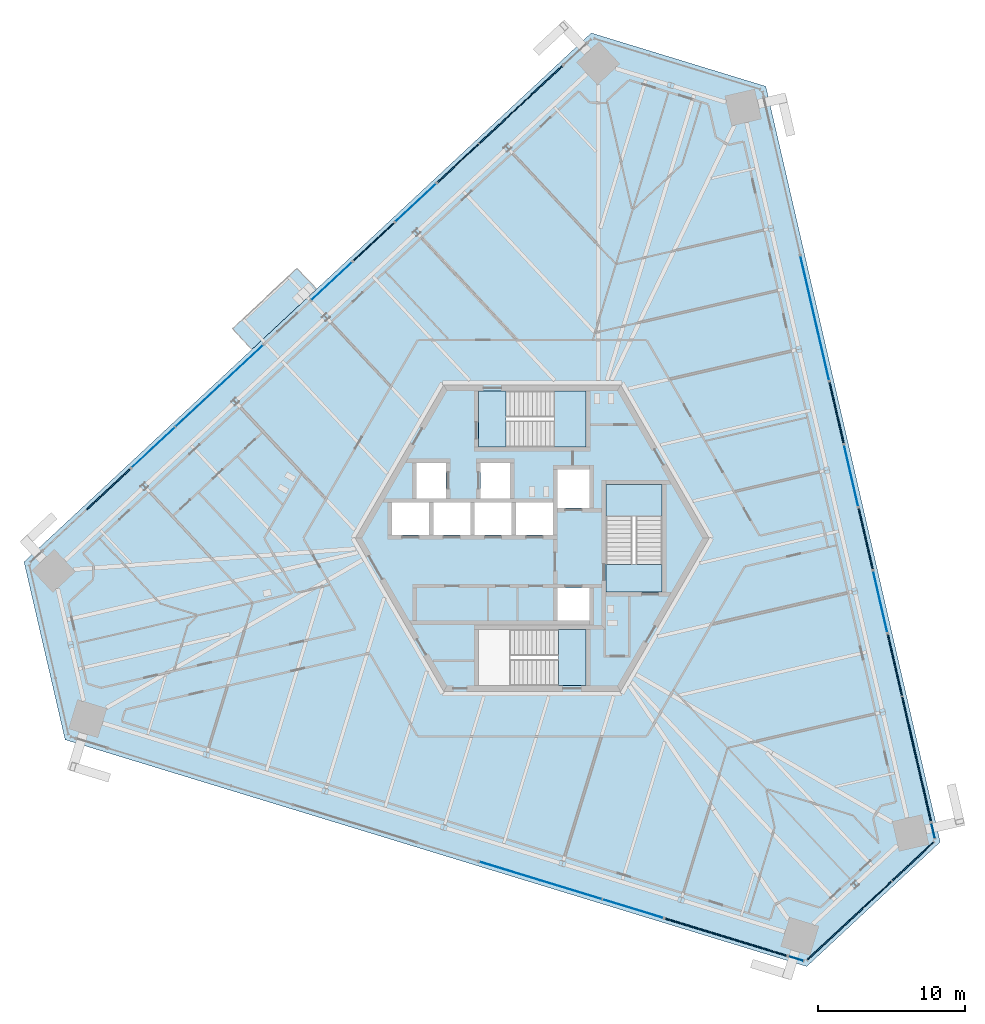
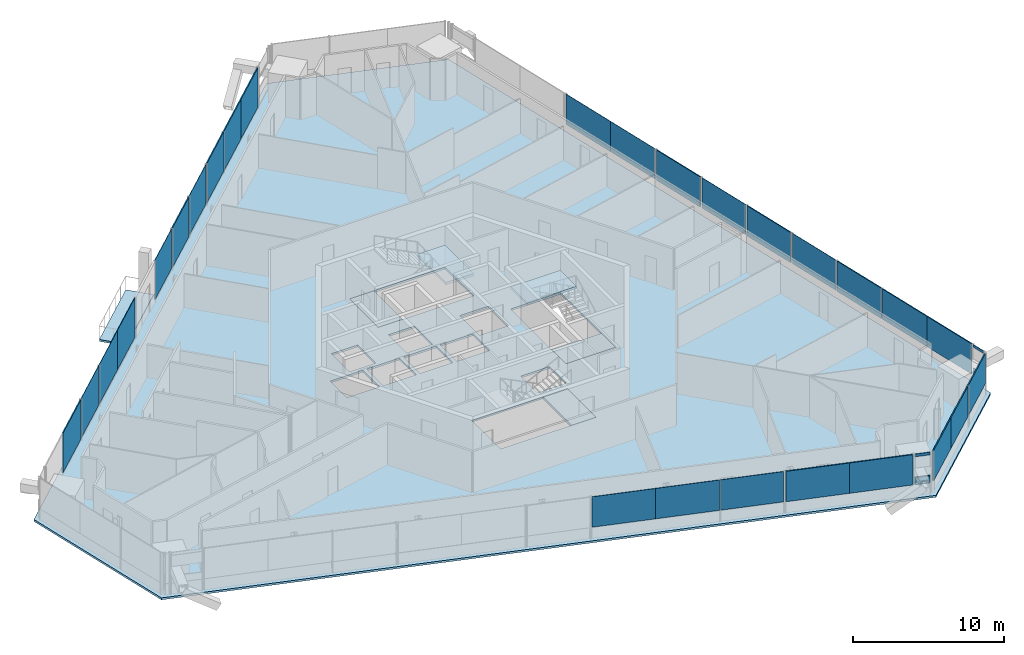
# One storey, part 15 of 25: 31 plates, 7 slabs, 22 elements without a shape of their own.
"""IFC4 building model written with IfcOpenShell, lengths in metres."""

from ifc_helpers import new_model, si_unit, direction, frame, origin, origin_2d, place, context, subcontext, project, spatial, polyline, rectangle, outline, extrude, source, transform, mapped, material, layer, layer_set, type_object, element, aggregate, save


model = new_model("IFC4")

# Units and contexts
model_context = context("Model", 3, precision=1e-05, world=origin(), true_north=direction((0.0, 1.0)))
body_context = subcontext(model_context, "Body", "Model", "MODEL_VIEW")
ifc_project = project(units=[si_unit("LENGTHUNIT", "METRE"), si_unit("AREAUNIT", "SQUARE_METRE"), si_unit("VOLUMEUNIT", "CUBIC_METRE"), si_unit("PLANEANGLEUNIT", "RADIAN"), si_unit("MASSUNIT", "GRAM", prefix="KILO")], contexts=[model_context])

# Site, building, storey
site_placement = place(None, origin())
site = spatial("IfcSite", under=ifc_project, at=site_placement, CompositionType="ELEMENT")
building_placement = place(site_placement, origin())
building = spatial("IfcBuilding", under=site, at=building_placement, Name="Triune Harvest Tower", CompositionType="ELEMENT")
storey_placement = place(building_placement, frame((0.0, 0.0, 130.699951171875)))
storey = spatial("IfcBuildingStorey", under=building, at=storey_placement, Name="L33", CompositionType="ELEMENT", Elevation=130.699951171875)

# Slab
ifc_material_1 = material(Name="Concrete 40 MPa", Category="concrete")
ifc_layer_1 = layer(ifc_material_1, 0.159912109375)
ifc_layer_set_1 = layer_set([ifc_layer_1], Name="Concrete 40 MPa")
slab_type_1 = type_object("IfcSlabType", Name="BA-1 balcony slab 160", PredefinedType="FLOOR", material=ifc_layer_set_1)
slab_1_placement = place(storey_placement, frame((0.0, 0.0, -0.159912109375)))
element("IfcSlab", 1, at=slab_1_placement, inside=storey, type_object=slab_type_1, Name="Balcony slab B3-F3 L33.7", PredefinedType="FLOOR", context=body_context, shape_type="SweptSolid", body=[
    extrude(outline(polyline([(-14.622802734375, 16.888427734375), (-19.010986328125, 12.79638671875), (-20.328125, 14.208984375), (-15.940185546875, 18.30078125), (-14.622802734375, 16.888427734375)])), origin(), (0.0, 0.0, 1.0), 0.159912109375),
])

# Curtain wall, plates
ifc_material_2 = material(Name="Aluminium bronze anodised", Category="aluminium")
curtain_wall_type_1 = type_object("IfcCurtainWallType", Name="CW-1 Tower stick curtain wall", PredefinedType="NOTDEFINED", material=ifc_material_2)
curtain_wall_1_placement = place(storey_placement, origin())
curtain_wall_1 = element("IfcCurtainWall", 2, at=curtain_wall_1_placement, inside=storey, type_object=curtain_wall_type_1, Name="CW-1 B3-F5 L33 run 3301")
ifc_material_3 = material(Name="Glass", Category="glass")
ifc_layer_2 = layer(ifc_material_3, 0.031982421875)
ifc_layer_set_2 = layer_set([ifc_layer_2], Name="Glass")
plate_type_1 = type_object("IfcPlateType", Name="GL-1 panel 32", PredefinedType="CURTAIN_PANEL", material=ifc_layer_set_2)
plate_1_placement = place(storey_placement, frame((2.632080078125, -23.835205078125, 0.89990234375), z_axis=(0.0, 0.0, 1.0), x_axis=(0.956305018244, -0.292370846839, 0.0)))
plate_1 = element("IfcPlate", 3, at=plate_1_placement, type_object=plate_type_1, Name="CW-1 panel B3-F5 3301.2", PredefinedType="CURTAIN_PANEL", context=body_context, shape_type="SweptSolid", body=[
    extrude(rectangle(XDim=4.349365234375, YDim=0.031982421875, at=origin_2d()), origin(), (0.0, 0.0, 1.0), 2.449951171875),
])
plate_2_placement = place(storey_placement, frame((6.8271484375, -25.117919921875, 0.89990234375), z_axis=(0.0, 0.0, 1.0), x_axis=(0.956305018244, -0.292370846839, 0.0)))
plate_2 = element("IfcPlate", 4, at=plate_2_placement, type_object=plate_type_1, Name="CW-1 panel B3-F5 3301.3", PredefinedType="CURTAIN_PANEL", context=body_context, shape_type="SweptSolid", body=[
    extrude(rectangle(XDim=4.274169921875, YDim=0.031982421875, at=origin_2d()), origin(), (0.0, 0.0, 1.0), 2.449951171875),
])

ifc_material_4 = material(Name="Aluminium bronze anodised", Category="aluminium")
curtain_wall_type_2 = type_object("IfcCurtainWallType", Name="CW-6 Balcony window wall", PredefinedType="NOTDEFINED", material=ifc_material_4)
curtain_wall_2_placement = place(storey_placement, origin())
curtain_wall_2 = element("IfcCurtainWall", 5, at=curtain_wall_2_placement, inside=storey, type_object=curtain_wall_type_2, Name="CW-6 B3-F3 L33 run 2")
ifc_material_5 = material(Name="Glass", Category="glass")
ifc_layer_3 = layer(ifc_material_5, 0.030029296875)
ifc_layer_set_3 = layer_set([ifc_layer_3], Name="Glass")
plate_type_2 = type_object("IfcPlateType", Name="GL-6 panel 30", PredefinedType="CURTAIN_PANEL", material=ifc_layer_set_3)
plate_3_placement = place(storey_placement, frame((-19.7314453125, 11.714599609375, 0.14990234375), z_axis=(0.0, 0.0, 1.0), x_axis=(-0.731353062767, -0.681999045147, 0.0)))
plate_3 = element("IfcPlate", 6, at=plate_3_placement, type_object=plate_type_2, Name="CW-6 panel B3-F3 2.1", PredefinedType="CURTAIN_PANEL", context=body_context, shape_type="SweptSolid", body=[
    extrude(rectangle(XDim=4.02587890625, YDim=0.030029296875, at=origin_2d()), origin(), (0.0, 0.0, 1.0), 3.199951171875),
])
plate_4_placement = place(storey_placement, frame((-22.689453125, 8.9560546875, 0.14990234375), z_axis=(0.0, 0.0, 1.0), x_axis=(-0.731353062767, -0.681999045147, 0.0)))
plate_4 = element("IfcPlate", 7, at=plate_4_placement, type_object=plate_type_2, Name="CW-6 panel B3-F3 2.2", PredefinedType="CURTAIN_PANEL", context=body_context, shape_type="SweptSolid", body=[
    extrude(rectangle(XDim=4.0634765625, YDim=0.030029296875, at=origin_2d()), origin(), (0.0, 0.0, 1.0), 3.199951171875),
])
plate_5_placement = place(storey_placement, frame((-25.688720703125, 6.1591796875, 0.14990234375), z_axis=(0.0, 0.0, 1.0), x_axis=(-0.731353062767, -0.681999045147, 0.0)))
plate_5 = element("IfcPlate", 8, at=plate_5_placement, type_object=plate_type_2, Name="CW-6 panel B3-F3 2.3", PredefinedType="CURTAIN_PANEL", context=body_context, shape_type="SweptSolid", body=[
    extrude(rectangle(XDim=3.988525390625, YDim=0.030029296875, at=origin_2d()), origin(), (0.0, 0.0, 1.0), 3.199951171875),
])
aggregate(curtain_wall_2, [plate_3, plate_4, plate_5])

ifc_material_6 = material(Name="Aluminium bronze anodised", Category="aluminium")
curtain_wall_type_3 = type_object("IfcCurtainWallType", Name="CW-10 Balcony window wall with insulated spandrel infill", PredefinedType="NOTDEFINED", material=ifc_material_6)
curtain_wall_3_placement = place(storey_placement, origin())
curtain_wall_3 = element("IfcCurtainWall", 9, at=curtain_wall_3_placement, inside=storey, type_object=curtain_wall_type_3, Name="CW-10 B3-F3 L33 run 301")
ifc_material_7 = material(Name="Insulated spandrel panel, bronze aluminium pan", Category="aluminium")
ifc_layer_4 = layer(ifc_material_7, 0.080078125)
ifc_layer_set_4 = layer_set([ifc_layer_4], Name="Insulated spandrel panel, bronze aluminium pan")
plate_type_3 = type_object("IfcPlateType", Name="SP-1 insulated spandrel panel 80", PredefinedType="CURTAIN_PANEL", material=ifc_layer_set_4)
plate_6_placement = place(storey_placement, frame((0.636962890625, 30.708251953125, 0.14990234375), z_axis=(0.0, 0.0, 1.0), x_axis=(-0.731355388729, -0.681996550854, 0.0)))
plate_6 = element("IfcPlate", 10, at=plate_6_placement, type_object=plate_type_3, Name="CW-10 panel B3-F3 301.1", PredefinedType="CURTAIN_PANEL", context=body_context, shape_type="SweptSolid", body=[
    extrude(rectangle(XDim=3.82421875, YDim=0.080078125, at=origin_2d()), origin(), (0.0, 0.0, 1.0), 3.199951171875),
])
plate_7_placement = place(storey_placement, frame((-2.173583984375, 28.08740234375, 0.14990234375), z_axis=(0.0, 0.0, 1.0), x_axis=(-0.731355388729, -0.681996550854, 0.0)))
plate_7 = element("IfcPlate", 11, at=plate_7_placement, type_object=plate_type_3, Name="CW-10 panel B3-F3 301.2", PredefinedType="CURTAIN_PANEL", context=body_context, shape_type="SweptSolid", body=[
    extrude(rectangle(XDim=3.86181640625, YDim=0.080078125, at=origin_2d()), origin(), (0.0, 0.0, 1.0), 3.199951171875),
])
plate_8_placement = place(storey_placement, frame((-5.025390625, 25.427978515625, 0.14990234375), z_axis=(0.0, 0.0, 1.0), x_axis=(-0.731355388729, -0.681996550854, 0.0)))
plate_8 = element("IfcPlate", 12, at=plate_8_placement, type_object=plate_type_3, Name="CW-10 panel B3-F3 301.3", PredefinedType="CURTAIN_PANEL", context=body_context, shape_type="SweptSolid", body=[
    extrude(rectangle(XDim=3.786865234375, YDim=0.080078125, at=origin_2d()), origin(), (0.0, 0.0, 1.0), 3.199951171875),
])
aggregate(curtain_wall_3, [plate_6, plate_7, plate_8])

# Curtain wall, plate
curtain_wall_4_placement = place(storey_placement, origin())
curtain_wall_4 = element("IfcCurtainWall", 13, at=curtain_wall_4_placement, inside=storey, type_object=curtain_wall_type_3, Name="CW-10 B3-F3 L33 run 2301")
plate_9_placement = place(storey_placement, frame((-10.74267578125, 20.096435546875, 0.14990234375), z_axis=(0.0, 0.0, 1.0), x_axis=(-0.731359652555, -0.68199197841, 0.0)))
plate_9 = element("IfcPlate", 14, at=plate_9_placement, type_object=plate_type_3, Name="CW-10 panel B3-F3 2301.1", PredefinedType="CURTAIN_PANEL", context=body_context, shape_type="SweptSolid", body=[
    extrude(rectangle(XDim=3.749267578125, YDim=0.080078125, at=origin_2d()), origin(), (0.0, 0.0, 1.0), 3.199951171875),
])
aggregate(curtain_wall_4, [plate_9])

# Slab
ifc_material_8 = material(Name="Concrete 40 MPa", Category="concrete")
ifc_layer_5 = layer(ifc_material_8, 0.159912109375)
ifc_layer_set_5 = layer_set([ifc_layer_5], Name="Concrete 40 MPa")
slab_type_2 = type_object("IfcSlabType", Name="SL-1 Composite floor slab 160", PredefinedType="FLOOR", material=ifc_layer_set_5)
shared_shape_1 = source(origin(), body_context, "Body", "SweptSolid", [
    extrude(outline(polyline([(27.666748046875, -20.59765625), (15.83740234375, 30.641357421875), (4.004638671875, 34.2587890625), (-34.454833984375, -1.60498046875), (-31.67138671875, -13.661376953125), (18.617431640625, -29.0361328125), (27.666748046875, -20.59765625)]), holes=[polyline([(-7.0, 0.2099609375), (-7.0, 2.409912109375), (-9.5, 2.409912109375), (-9.5, 0.2099609375), (-7.0, 0.2099609375)]), polyline([(-4.199951171875, 0.2099609375), (-4.199951171875, 2.409912109375), (-6.699951171875, 2.409912109375), (-6.699951171875, 0.2099609375), (-4.199951171875, 0.2099609375)]), polyline([(-1.39990234375, 0.2099609375), (-1.39990234375, 2.409912109375), (-3.89990234375, 2.409912109375), (-3.89990234375, 0.2099609375), (-1.39990234375, 0.2099609375)]), polyline([(1.39990234375, 0.2099609375), (1.39990234375, 2.409912109375), (-1.10009765625, 2.409912109375), (-1.10009765625, 0.2099609375), (1.39990234375, 0.2099609375)]), polyline([(3.89990234375, 2.06005859375), (3.89990234375, 4.659912109375), (1.699951171875, 4.659912109375), (1.699951171875, 2.06005859375), (3.89990234375, 2.06005859375)]), polyline([(3.89990234375, -5.590087890625), (3.89990234375, -3.389892578125), (1.699951171875, -3.389892578125), (1.699951171875, -5.590087890625), (3.89990234375, -5.590087890625)]), polyline([(-5.85009765625, 2.7099609375), (-5.85009765625, 5.110107421875), (-7.85009765625, 5.110107421875), (-7.85009765625, 2.7099609375), (-5.85009765625, 2.7099609375)]), polyline([(-1.5, 2.7099609375), (-1.5, 5.110107421875), (-3.5, 5.110107421875), (-3.5, 2.7099609375), (-1.5, 2.7099609375)]), polyline([(3.64990234375, 6.18994140625), (3.64990234375, 9.989990234375), (-3.64990234375, 9.989990234375), (-3.64990234375, 6.18994140625), (3.64990234375, 6.18994140625)]), polyline([(3.64990234375, -9.989990234375), (3.64990234375, -6.18994140625), (-3.64990234375, -6.18994140625), (-3.64990234375, -9.989990234375), (3.64990234375, -9.989990234375)]), polyline([(8.800048828125, -3.64990234375), (8.800048828125, 3.64990234375), (5.0, 3.64990234375), (5.0, -3.64990234375), (8.800048828125, -3.64990234375)])]), origin(), (0.0, 0.0, 1.0), 0.159912109375),
])
slab_2_placement = place(storey_placement, frame((0.0, 0.0, -0.159912109375)))
element("IfcSlab", 15, at=slab_2_placement, inside=storey, type_object=slab_type_2, Name="slab/L33/1", PredefinedType="FLOOR", context=body_context, shape_type="MappedRepresentation", body=[
    mapped(shared_shape_1, transform((0.0, 0.0, 0.0), scale=1.0)),
])

# Stair, slabs
ifc_material_9 = material(Name="Concrete 40 MPa", Category="concrete")
stair_type = type_object("IfcStairType", Name="Exit stair 1800 half turn", PredefinedType="HALF_TURN_STAIR", material=ifc_material_9)
stair_1_placement = place(storey_placement, origin())
stair_1 = element("IfcStair", 16, at=stair_1_placement, inside=storey, type_object=stair_type, Name="Exit stair north", PredefinedType="HALF_TURN_STAIR")
ifc_material_10 = material(Name="Concrete 40 MPa", Category="concrete")
ifc_layer_6 = layer(ifc_material_10, 0.199951171875)
ifc_layer_set_6 = layer_set([ifc_layer_6], Name="Concrete 40 MPa")
slab_type_3 = type_object("IfcSlabType", Name="Stair landing 200", PredefinedType="LANDING", material=ifc_layer_set_6)
shared_shape_2 = source(origin(), body_context, "Body", "SweptSolid", [
    extrude(outline(polyline([(1.510009765625, 6.18994140625), (3.64990234375, 6.18994140625), (3.64990234375, 9.989990234375), (1.510009765625, 9.989990234375), (1.510009765625, 6.18994140625)])), origin(), (0.0, 0.0, 1.0), 0.199951171875),
])
slab_3_placement = place(storey_placement, frame((0.0, 0.0, 1.60009765625)))
slab_3 = element("IfcSlab", 17, at=slab_3_placement, type_object=slab_type_3, Name="ST-1 landing 2", PredefinedType="LANDING", context=body_context, shape_type="MappedRepresentation", body=[
    mapped(shared_shape_2, transform((0.0, 0.0, 0.0), scale=1.0)),
])
shared_shape_3 = source(origin(), body_context, "Body", "SweptSolid", [
    extrude(outline(polyline([(-3.64990234375, 6.18994140625), (-1.780029296875, 6.18994140625), (-1.780029296875, 9.989990234375), (-3.64990234375, 9.989990234375), (-3.64990234375, 6.18994140625)])), origin(), (0.0, 0.0, 1.0), 0.199951171875),
])
slab_4_placement = place(storey_placement, frame((0.0, 0.0, -0.199951171875)))
slab_4 = element("IfcSlab", 18, at=slab_4_placement, type_object=slab_type_3, Name="ST-1 landing 1", PredefinedType="LANDING", context=body_context, shape_type="MappedRepresentation", body=[
    mapped(shared_shape_3, transform((0.0, 0.0, 0.0), scale=1.0)),
])
aggregate(stair_1, [slab_4, slab_3])

# Stair, slab
stair_2_placement = place(storey_placement, origin())
stair_2 = element("IfcStair", 19, at=stair_2_placement, inside=storey, type_object=stair_type, Name="Exit stair south", PredefinedType="HALF_TURN_STAIR")
shared_shape_4 = source(origin(), body_context, "Body", "SweptSolid", [
    extrude(outline(polyline([(3.64990234375, -6.18994140625), (1.780029296875, -6.18994140625), (1.780029296875, -9.989990234375), (3.64990234375, -9.989990234375), (3.64990234375, -6.18994140625)])), origin(), (0.0, 0.0, 1.0), 0.199951171875),
])
slab_5_placement = place(storey_placement, frame((0.0, 0.0, -0.199951171875)))
slab_5 = element("IfcSlab", 20, at=slab_5_placement, type_object=slab_type_3, Name="ST-2 landing 1", PredefinedType="LANDING", context=body_context, shape_type="MappedRepresentation", body=[
    mapped(shared_shape_4, transform((0.0, 0.0, 0.0), scale=1.0)),
])
aggregate(stair_2, [slab_5])

# Stair, slabs
stair_3_placement = place(storey_placement, origin())
stair_3 = element("IfcStair", 21, at=stair_3_placement, inside=storey, type_object=stair_type, Name="Exit stair east", PredefinedType="HALF_TURN_STAIR")
shared_shape_5 = source(origin(), body_context, "Body", "SweptSolid", [
    extrude(outline(polyline([(8.800048828125, 1.510009765625), (8.800048828125, 3.64990234375), (5.0, 3.64990234375), (5.0, 1.510009765625), (8.800048828125, 1.510009765625)])), origin(), (0.0, 0.0, 1.0), 0.199951171875),
])
slab_6_placement = place(storey_placement, frame((0.0, 0.0, 1.60009765625)))
slab_6 = element("IfcSlab", 22, at=slab_6_placement, type_object=slab_type_3, Name="ST-3 landing 2", PredefinedType="LANDING", context=body_context, shape_type="MappedRepresentation", body=[
    mapped(shared_shape_5, transform((0.0, 0.0, 0.0), scale=1.0)),
])
shared_shape_6 = source(origin(), body_context, "Body", "SweptSolid", [
    extrude(outline(polyline([(8.800048828125, -3.64990234375), (8.800048828125, -1.780029296875), (5.0, -1.780029296875), (5.0, -3.64990234375), (8.800048828125, -3.64990234375)])), origin(), (0.0, 0.0, 1.0), 0.199951171875),
])
slab_7_placement = place(storey_placement, frame((0.0, 0.0, -0.199951171875)))
slab_7 = element("IfcSlab", 23, at=slab_7_placement, type_object=slab_type_3, Name="ST-3 landing 1", PredefinedType="LANDING", context=body_context, shape_type="MappedRepresentation", body=[
    mapped(shared_shape_6, transform((0.0, 0.0, 0.0), scale=1.0)),
])
aggregate(stair_3, [slab_7, slab_6])

# Curtain wall, plate
ifc_material_11 = material(Name="Aluminium bronze anodised", Category="aluminium")
curtain_wall_type_4 = type_object("IfcCurtainWallType", Name="CW-7 Tower stick curtain wall with insulated spandrel infill", PredefinedType="NOTDEFINED", material=ifc_material_11)
curtain_wall_5_placement = place(storey_placement, origin())
curtain_wall_5 = element("IfcCurtainWall", 24, at=curtain_wall_5_placement, inside=storey, type_object=curtain_wall_type_4, Name="CW-7 B3-F1 L33 run 1")
shared_shape_7 = source(origin(), body_context, "Body", "SweptSolid", [
    extrude(rectangle(XDim=1.021728515625, YDim=0.080078125, at=origin_2d()), origin(), (0.0, 0.0, 1.0), 0.56494140625),
])
plate_10_placement = place(storey_placement, frame((27.18359375, -19.837646484375, 0.900146484375), z_axis=(0.0, 0.0, 1.0), x_axis=(-0.224946759876, 0.974371056231, 0.0)))
plate_10 = element("IfcPlate", 25, at=plate_10_placement, type_object=plate_type_3, Name="CW-7 panel B3-F1 1.1", PredefinedType="CURTAIN_PANEL", context=body_context, shape_type="MappedRepresentation", body=[
    mapped(shared_shape_7, transform((0.0, 0.0, 0.0), scale=1.0)),
])
aggregate(curtain_wall_5, [plate_10])

curtain_wall_6_placement = place(storey_placement, origin())
curtain_wall_6 = element("IfcCurtainWall", 26, at=curtain_wall_6_placement, inside=storey, type_object=curtain_wall_type_4, Name="CW-7 B3-F5 L33 run 401")
plate_11_placement = place(storey_placement, frame((17.893310546875, -28.501220703125, 0.900146484375), z_axis=(0.0, 0.0, 1.0), x_axis=(0.956305185841, -0.292370298651, 0.0)))
plate_11 = element("IfcPlate", 27, at=plate_11_placement, type_object=plate_type_3, Name="CW-7 panel B3-F5 401.1", PredefinedType="CURTAIN_PANEL", context=body_context, shape_type="MappedRepresentation", body=[
    mapped(shared_shape_7, transform((0.0, 0.0, 0.0), scale=1.0)),
])
aggregate(curtain_wall_6, [plate_11])

curtain_wall_7_placement = place(storey_placement, origin())
curtain_wall_7 = element("IfcCurtainWall", 28, at=curtain_wall_7_placement, inside=storey, type_object=curtain_wall_type_1, Name="CW-1 B3-F1 L33 run 101")
shared_shape_8 = source(origin(), body_context, "Body", "SweptSolid", [
    extrude(rectangle(XDim=1.021728515625, YDim=0.031982421875, at=origin_2d()), origin(), (0.0, 0.0, 1.0), 0.215087890625),
])
plate_12_placement = place(storey_placement, frame((27.18359375, -19.837646484375, 3.134765625), z_axis=(0.0, 0.0, 1.0), x_axis=(-0.224946759876, 0.974371056231, 0.0)))
plate_12 = element("IfcPlate", 29, at=plate_12_placement, type_object=plate_type_1, Name="CW-1 panel B3-F1 101.1", PredefinedType="CURTAIN_PANEL", context=body_context, shape_type="MappedRepresentation", body=[
    mapped(shared_shape_8, transform((0.0, 0.0, 0.0), scale=1.0)),
])
aggregate(curtain_wall_7, [plate_12])

curtain_wall_8_placement = place(storey_placement, origin())
curtain_wall_8 = element("IfcCurtainWall", 30, at=curtain_wall_8_placement, inside=storey, type_object=curtain_wall_type_1, Name="CW-1 B3-F5 L33 run 501")
plate_13_placement = place(storey_placement, frame((17.893310546875, -28.501220703125, 3.134765625), z_axis=(0.0, 0.0, 1.0), x_axis=(0.956305185841, -0.292370298651, 0.0)))
plate_13 = element("IfcPlate", 31, at=plate_13_placement, type_object=plate_type_1, Name="CW-1 panel B3-F5 501.1", PredefinedType="CURTAIN_PANEL", context=body_context, shape_type="MappedRepresentation", body=[
    mapped(shared_shape_8, transform((0.0, 0.0, 0.0), scale=1.0)),
])
aggregate(curtain_wall_8, [plate_13])

curtain_wall_9_placement = place(storey_placement, origin())
curtain_wall_9 = element("IfcCurtainWall", 32, at=curtain_wall_9_placement, inside=storey, type_object=curtain_wall_type_4, Name="CW-7 B3-F1 L33 run 201")
shared_shape_9 = source(origin(), body_context, "Body", "SweptSolid", [
    extrude(rectangle(XDim=4.311767578125, YDim=0.080078125, at=origin_2d()), origin(), (0.0, 0.0, 1.0), 2.449951171875),
])
plate_14_placement = place(storey_placement, frame((26.5498046875, -17.093017578125, 0.89990234375), z_axis=(0.0, 0.0, 1.0), x_axis=(-0.224949408455, 0.974370444767, 0.0)))
plate_14 = element("IfcPlate", 33, at=plate_14_placement, type_object=plate_type_3, Name="CW-7 panel B3-F1 201.1", PredefinedType="CURTAIN_PANEL", context=body_context, shape_type="MappedRepresentation", body=[
    mapped(shared_shape_9, transform((0.0, 0.0, 0.0), scale=1.0)),
])

# Curtain wall, plates
curtain_wall_10_placement = place(storey_placement, origin())
curtain_wall_10 = element("IfcCurtainWall", 34, at=curtain_wall_10_placement, inside=storey, type_object=curtain_wall_type_4, Name="CW-7 B3-F5 L33 run 4301")
plate_15_placement = place(storey_placement, frame((11.076171875, -26.416748046875, 0.89990234375), z_axis=(0.0, 0.0, 1.0), x_axis=(0.95630289369, -0.292377795875, 0.0)))
plate_15 = element("IfcPlate", 35, at=plate_15_placement, type_object=plate_type_3, Name="CW-7 panel B3-F5 4301.1", PredefinedType="CURTAIN_PANEL", context=body_context, shape_type="MappedRepresentation", body=[
    mapped(shared_shape_9, transform((0.0, 0.0, 0.0), scale=1.0)),
])
plate_16_placement = place(storey_placement, frame((15.199462890625, -27.677490234375, 0.89990234375), z_axis=(0.0, 0.0, 1.0), x_axis=(0.95630289369, -0.292377795875, 0.0)))
plate_16 = element("IfcPlate", 36, at=plate_16_placement, type_object=plate_type_3, Name="CW-7 panel B3-F5 4301.2", PredefinedType="CURTAIN_PANEL", context=body_context, shape_type="MappedRepresentation", body=[
    mapped(shared_shape_9, transform((0.0, 0.0, 0.0), scale=1.0)),
])
aggregate(curtain_wall_10, [plate_15, plate_16])

# Plate
shared_shape_10 = source(origin(), body_context, "Body", "SweptSolid", [
    extrude(rectangle(XDim=4.349365234375, YDim=0.080078125, at=origin_2d()), origin(), (0.0, 0.0, 1.0), 2.449951171875),
])
plate_17_placement = place(storey_placement, frame((25.57568359375, -12.87353515625, 0.89990234375), z_axis=(0.0, 0.0, 1.0), x_axis=(-0.224949408455, 0.974370444767, 0.0)))
plate_17 = element("IfcPlate", 37, at=plate_17_placement, type_object=plate_type_3, Name="CW-7 panel B3-F1 201.2", PredefinedType="CURTAIN_PANEL", context=body_context, shape_type="MappedRepresentation", body=[
    mapped(shared_shape_10, transform((0.0, 0.0, 0.0), scale=1.0)),
])

shared_shape_11 = source(origin(), body_context, "Body", "SweptSolid", [
    extrude(rectangle(XDim=4.274169921875, YDim=0.080078125, at=origin_2d()), origin(), (0.0, 0.0, 1.0), 2.449951171875),
])
plate_18_placement = place(storey_placement, frame((24.5888671875, -8.59912109375, 0.89990234375), z_axis=(0.0, 0.0, 1.0), x_axis=(-0.224949408455, 0.974370444767, 0.0)))
plate_18 = element("IfcPlate", 38, at=plate_18_placement, type_object=plate_type_3, Name="CW-7 panel B3-F1 201.3", PredefinedType="CURTAIN_PANEL", context=body_context, shape_type="MappedRepresentation", body=[
    mapped(shared_shape_11, transform((0.0, 0.0, 0.0), scale=1.0)),
])

aggregate(curtain_wall_9, [plate_14, plate_17, plate_18])

# Curtain wall, plate
curtain_wall_11_placement = place(storey_placement, origin())
curtain_wall_11 = element("IfcCurtainWall", 39, at=curtain_wall_11_placement, inside=storey, type_object=curtain_wall_type_1, Name="CW-1 B3-F1 L33 run 1201")
shared_shape_12 = source(origin(), body_context, "Body", "SweptSolid", [
    extrude(rectangle(XDim=4.23681640625, YDim=0.031982421875, at=origin_2d()), origin(), (0.0, 0.0, 1.0), 2.449951171875),
])
plate_19_placement = place(storey_placement, frame((23.597900390625, -4.306640625, 0.89990234375), z_axis=(0.0, 0.0, 1.0), x_axis=(-0.224951073969, 0.974370060254, 0.0)))
plate_19 = element("IfcPlate", 40, at=plate_19_placement, type_object=plate_type_1, Name="CW-1 panel B3-F1 1201.1", PredefinedType="CURTAIN_PANEL", context=body_context, shape_type="MappedRepresentation", body=[
    mapped(shared_shape_12, transform((0.0, 0.0, 0.0), scale=1.0)),
])
aggregate(curtain_wall_11, [plate_19])

curtain_wall_12_placement = place(storey_placement, origin())
curtain_wall_12 = element("IfcCurtainWall", 41, at=curtain_wall_12_placement, inside=storey, type_object=curtain_wall_type_1, Name="CW-1 B3-F1 L33 run 3201")
plate_20_placement = place(storey_placement, frame((21.624267578125, 4.241943359375, 0.89990234375), z_axis=(0.0, 0.0, 1.0), x_axis=(-0.224967719392, 0.974366217206, 0.0)))
plate_20 = element("IfcPlate", 42, at=plate_20_placement, type_object=plate_type_1, Name="CW-1 panel B3-F1 3201.1", PredefinedType="CURTAIN_PANEL", context=body_context, shape_type="MappedRepresentation", body=[
    mapped(shared_shape_12, transform((0.0, 0.0, 0.0), scale=1.0)),
])
aggregate(curtain_wall_12, [plate_20])

curtain_wall_13_placement = place(storey_placement, origin())
curtain_wall_13 = element("IfcCurtainWall", 43, at=curtain_wall_13_placement, inside=storey, type_object=curtain_wall_type_4, Name="CW-7 B3-F1 L33 run 2201")
shared_shape_13 = source(origin(), body_context, "Body", "SweptSolid", [
    extrude(rectangle(XDim=4.23681640625, YDim=0.080078125, at=origin_2d()), origin(), (0.0, 0.0, 1.0), 2.449951171875),
])
plate_21_placement = place(storey_placement, frame((22.611083984375, -0.032470703125, 0.89990234375), z_axis=(0.0, 0.0, 1.0), x_axis=(-0.224951073969, 0.974370060254, 0.0)))
plate_21 = element("IfcPlate", 44, at=plate_21_placement, type_object=plate_type_3, Name="CW-7 panel B3-F1 2201.1", PredefinedType="CURTAIN_PANEL", context=body_context, shape_type="MappedRepresentation", body=[
    mapped(shared_shape_13, transform((0.0, 0.0, 0.0), scale=1.0)),
])
aggregate(curtain_wall_13, [plate_21])

curtain_wall_14_placement = place(storey_placement, origin())
curtain_wall_14 = element("IfcCurtainWall", 45, at=curtain_wall_14_placement, inside=storey, type_object=curtain_wall_type_4, Name="CW-7 B3-F1 L33 run 4201")
plate_22_placement = place(storey_placement, frame((20.637451171875, 8.516357421875, 0.89990234375), z_axis=(0.0, 0.0, 1.0), x_axis=(-0.224951073969, 0.974370060254, 0.0)))
plate_22 = element("IfcPlate", 46, at=plate_22_placement, type_object=plate_type_3, Name="CW-7 panel B3-F1 4201.1", PredefinedType="CURTAIN_PANEL", context=body_context, shape_type="MappedRepresentation", body=[
    mapped(shared_shape_13, transform((0.0, 0.0, 0.0), scale=1.0)),
])
aggregate(curtain_wall_14, [plate_22])

# Curtain wall, plates
curtain_wall_15_placement = place(storey_placement, origin())
curtain_wall_15 = element("IfcCurtainWall", 47, at=curtain_wall_15_placement, inside=storey, type_object=curtain_wall_type_1, Name="CW-1 B3-F1 L33 run 5201")
shared_shape_14 = source(origin(), body_context, "Body", "SweptSolid", [
    extrude(rectangle(XDim=4.311767578125, YDim=0.031982421875, at=origin_2d()), origin(), (0.0, 0.0, 1.0), 2.449951171875),
])
plate_23_placement = place(storey_placement, frame((19.64208984375, 12.8271484375, 0.89990234375), z_axis=(0.0, 0.0, 1.0), x_axis=(-0.224951073969, 0.974370060254, 0.0)))
plate_23 = element("IfcPlate", 48, at=plate_23_placement, type_object=plate_type_1, Name="CW-1 panel B3-F1 5201.1", PredefinedType="CURTAIN_PANEL", context=body_context, shape_type="MappedRepresentation", body=[
    mapped(shared_shape_14, transform((0.0, 0.0, 0.0), scale=1.0)),
])
plate_24_placement = place(storey_placement, frame((18.672119140625, 17.0283203125, 0.89990234375), z_axis=(0.0, 0.0, 1.0), x_axis=(-0.224951073969, 0.974370060254, 0.0)))
plate_24 = element("IfcPlate", 49, at=plate_24_placement, type_object=plate_type_1, Name="CW-1 panel B3-F1 5201.2", PredefinedType="CURTAIN_PANEL", context=body_context, shape_type="MappedRepresentation", body=[
    mapped(shared_shape_14, transform((0.0, 0.0, 0.0), scale=1.0)),
])
aggregate(curtain_wall_15, [plate_23, plate_24])

# Plate
plate_25_placement = place(storey_placement, frame((-1.50927734375, -22.569091796875, 0.89990234375), z_axis=(0.0, 0.0, 1.0), x_axis=(0.956305018244, -0.292370846839, 0.0)))
plate_25 = element("IfcPlate", 50, at=plate_25_placement, type_object=plate_type_1, Name="CW-1 panel B3-F5 3301.1", PredefinedType="CURTAIN_PANEL", context=body_context, shape_type="MappedRepresentation", body=[
    mapped(shared_shape_14, transform((0.0, 0.0, 0.0), scale=1.0)),
])

aggregate(curtain_wall_1, [plate_25, plate_1, plate_2])

# Curtain wall, plates
curtain_wall_16_placement = place(storey_placement, origin())
curtain_wall_16 = element("IfcCurtainWall", 51, at=curtain_wall_16_placement, inside=storey, type_object=curtain_wall_type_4, Name="CW-7 B3-F6 L33 run 1")
shared_shape_15 = source(origin(), body_context, "Body", "SweptSolid", [
    extrude(rectangle(XDim=3.8740234375, YDim=0.080078125, at=origin_2d()), origin(), (0.0, 0.0, 1.0), 2.449951171875),
])
plate_26_placement = place(storey_placement, frame((20.076904296875, -27.26513671875, 0.89990234375), z_axis=(0.0, 0.0, 1.0), x_axis=(0.731349946151, 0.682002387287, 0.0)))
plate_26 = element("IfcPlate", 52, at=plate_26_placement, type_object=plate_type_3, Name="CW-7 panel B3-F6 1.1", PredefinedType="CURTAIN_PANEL", context=body_context, shape_type="MappedRepresentation", body=[
    mapped(shared_shape_15, transform((0.0, 0.0, 0.0), scale=1.0)),
])
shared_shape_16 = source(origin(), body_context, "Body", "SweptSolid", [
    extrude(rectangle(XDim=3.911376953125, YDim=0.080078125, at=origin_2d()), origin(), (0.0, 0.0, 1.0), 2.449951171875),
])
plate_27_placement = place(storey_placement, frame((22.923828125, -24.6103515625, 0.89990234375), z_axis=(0.0, 0.0, 1.0), x_axis=(0.731349946151, 0.682002387287, 0.0)))
plate_27 = element("IfcPlate", 53, at=plate_27_placement, type_object=plate_type_3, Name="CW-7 panel B3-F6 1.2", PredefinedType="CURTAIN_PANEL", context=body_context, shape_type="MappedRepresentation", body=[
    mapped(shared_shape_16, transform((0.0, 0.0, 0.0), scale=1.0)),
])
shared_shape_17 = source(origin(), body_context, "Body", "SweptSolid", [
    extrude(rectangle(XDim=3.83642578125, YDim=0.080078125, at=origin_2d()), origin(), (0.0, 0.0, 1.0), 2.449951171875),
])
plate_28_placement = place(storey_placement, frame((25.81201171875, -21.9169921875, 0.89990234375), z_axis=(0.0, 0.0, 1.0), x_axis=(0.731349946151, 0.682002387287, 0.0)))
plate_28 = element("IfcPlate", 54, at=plate_28_placement, type_object=plate_type_3, Name="CW-7 panel B3-F6 1.3", PredefinedType="CURTAIN_PANEL", context=body_context, shape_type="MappedRepresentation", body=[
    mapped(shared_shape_17, transform((0.0, 0.0, 0.0), scale=1.0)),
])
aggregate(curtain_wall_16, [plate_26, plate_27, plate_28])

# Curtain wall, plate
curtain_wall_17_placement = place(storey_placement, origin())
curtain_wall_17 = element("IfcCurtainWall", 55, at=curtain_wall_17_placement, inside=storey, type_object=curtain_wall_type_2, Name="CW-6 B3-F3 L33 run 1301")
shared_shape_18 = source(origin(), body_context, "Body", "SweptSolid", [
    extrude(rectangle(XDim=3.749267578125, YDim=0.030029296875, at=origin_2d()), origin(), (0.0, 0.0, 1.0), 3.199951171875),
])
plate_29_placement = place(storey_placement, frame((-7.890869140625, 22.755859375, 0.14990234375), z_axis=(0.0, 0.0, 1.0), x_axis=(-0.731346861123, -0.682005695523, 0.0)))
plate_29 = element("IfcPlate", 56, at=plate_29_placement, type_object=plate_type_2, Name="CW-6 panel B3-F3 1301.1", PredefinedType="CURTAIN_PANEL", context=body_context, shape_type="MappedRepresentation", body=[
    mapped(shared_shape_18, transform((0.0, 0.0, 0.0), scale=1.0)),
])
aggregate(curtain_wall_17, [plate_29])

curtain_wall_18_placement = place(storey_placement, origin())
curtain_wall_18 = element("IfcCurtainWall", 57, at=curtain_wall_18_placement, inside=storey, type_object=curtain_wall_type_2, Name="CW-6 B3-F3 L33 run 3301")
plate_30_placement = place(storey_placement, frame((-13.594482421875, 17.437255859375, 0.14990234375), z_axis=(0.0, 0.0, 1.0), x_axis=(-0.731346861123, -0.682005695523, 0.0)))
plate_30 = element("IfcPlate", 58, at=plate_30_placement, type_object=plate_type_2, Name="CW-6 panel B3-F3 3301.1", PredefinedType="CURTAIN_PANEL", context=body_context, shape_type="MappedRepresentation", body=[
    mapped(shared_shape_18, transform((0.0, 0.0, 0.0), scale=1.0)),
])
aggregate(curtain_wall_18, [plate_30])

curtain_wall_19_placement = place(storey_placement, origin())
curtain_wall_19 = element("IfcCurtainWall", 59, at=curtain_wall_19_placement, inside=storey, type_object=curtain_wall_type_3, Name="CW-10 B3-F3 L33 run 1002")
shared_shape_19 = source(origin(), body_context, "Body", "SweptSolid", [
    extrude(rectangle(XDim=4.026123046875, YDim=0.080078125, at=origin_2d()), origin(), (0.0, 0.0, 1.0), 3.199951171875),
])
plate_31_placement = place(storey_placement, frame((-28.729248046875, 3.323974609375, 0.14990234375), z_axis=(0.0, 0.0, 1.0), x_axis=(-0.731352789185, -0.681999338527, 0.0)))
plate_31 = element("IfcPlate", 60, at=plate_31_placement, type_object=plate_type_3, Name="CW-10 panel B3-F3 1002.1", PredefinedType="CURTAIN_PANEL", context=body_context, shape_type="MappedRepresentation", body=[
    mapped(shared_shape_19, transform((0.0, 0.0, 0.0), scale=1.0)),
])
aggregate(curtain_wall_19, [plate_31])

save(model, "model.ifc")
